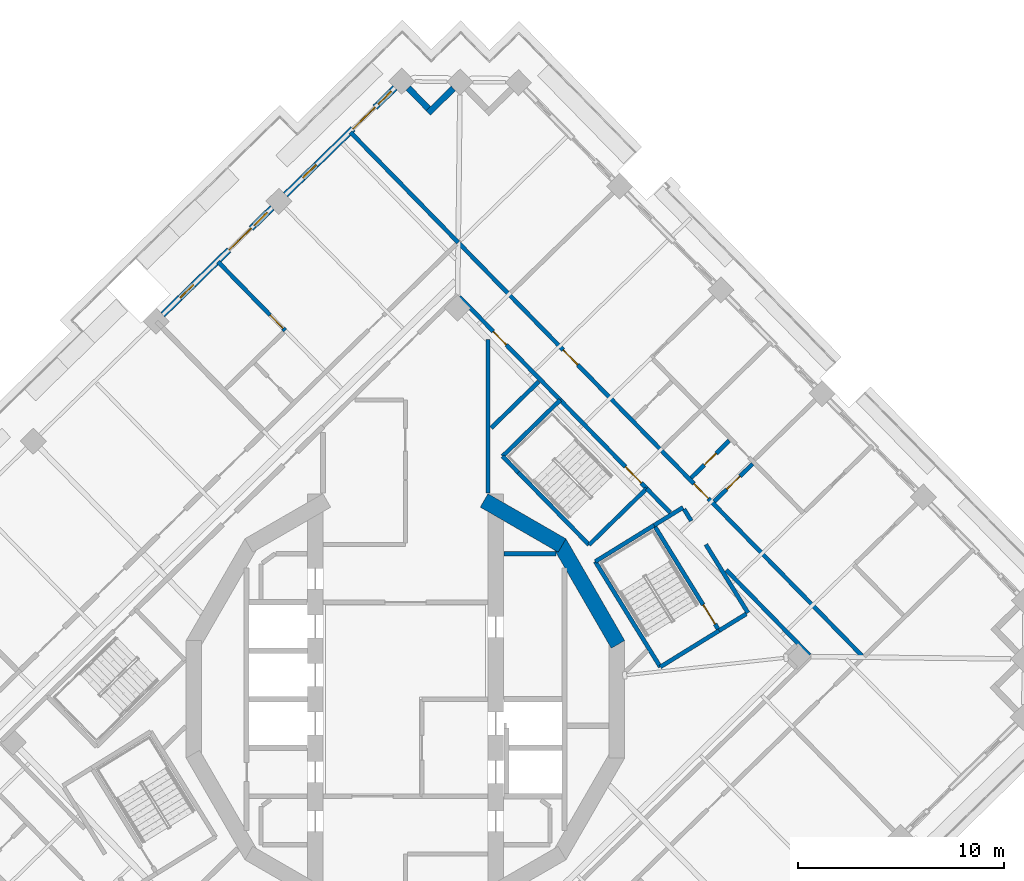
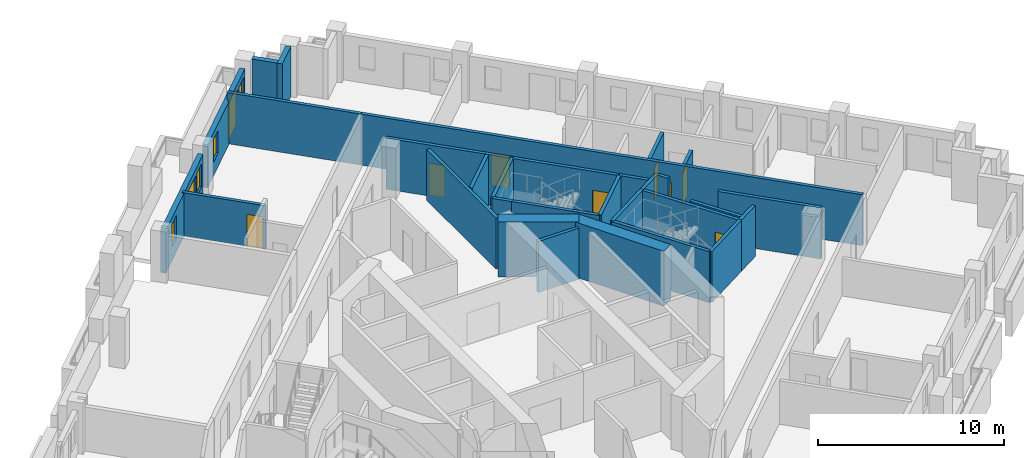
# One storey, part 9 of 17: 30 walls, 10 doors, 4 windows, 14 openings.
"""IFC4 building model written with IfcOpenShell, lengths in metres."""

from ifc_helpers import new_model, si_unit, direction, frame, frame_2d, origin, place, context, subcontext, project, spatial, rectangle, extrude, material, layer, layer_set, type_object, element, fill, save


model = new_model("IFC4")

# Units and contexts
model_context = context("Model", 3, precision=1e-05, world=origin(), true_north=direction((0.0, 1.0)))
body_context = subcontext(model_context, "Body", "Model", "MODEL_VIEW")
ifc_project = project(units=[si_unit("LENGTHUNIT", "METRE"), si_unit("AREAUNIT", "SQUARE_METRE"), si_unit("VOLUMEUNIT", "CUBIC_METRE"), si_unit("PLANEANGLEUNIT", "RADIAN"), si_unit("MASSUNIT", "GRAM", prefix="KILO")], contexts=[model_context])

# Site, building, storey
site_placement = place(None, origin())
site = spatial("IfcSite", under=ifc_project, at=site_placement, CompositionType="ELEMENT")
building_placement = place(site_placement, origin())
building = spatial("IfcBuilding", under=site, at=building_placement, Name="Cantera Rosa Tower", CompositionType="ELEMENT")
storey_placement = place(building_placement, frame((0.0, 0.0, 227.0)))
storey = spatial("IfcBuildingStorey", under=building, at=storey_placement, Name="L49", CompositionType="ELEMENT", Elevation=227.0)

# Wall
ifc_material_1 = material(Name="Gypsum board partition")
ifc_layer_1 = layer(ifc_material_1, 0.199951171875)
ifc_layer_set_1 = layer_set([ifc_layer_1], Name="CORRIDOR WALL 200 H2300")
wall_type_1 = type_object("IfcWallType", Name="CORRIDOR WALL 200 H2300", PredefinedType="PARTITIONING", material=ifc_layer_set_1)
wall_1_placement = place(storey_placement, frame((14.55810546875, 7.5009765625, 0.0), z_axis=(0.0, 0.0, 1.0), x_axis=(0.524986446256, -0.851110586967, 0.0)))
element("IfcWall", 1, at=wall_1_placement, inside=storey, type_object=wall_type_1, Name="CORRIDOR WALL L49-108", PredefinedType="PARTITIONING", context=body_context, shape_type="SweptSolid", body=[
    extrude(rectangle(XDim=3.890625, YDim=0.199951171875, at=frame_2d((1.9453125, 0.0))), origin(), (0.0, 0.0, 1.0), 2.300048828125),
])

# Wall, openings, doors
ifc_material_2 = material(Name="Gypsum board partition")
ifc_layer_2 = layer(ifc_material_2, 0.199951171875)
ifc_layer_set_2 = layer_set([ifc_layer_2], Name="CORRIDOR WALL 200 H3350")
wall_type_2 = type_object("IfcWallType", Name="CORRIDOR WALL 200 H3350", PredefinedType="PARTITIONING", material=ifc_layer_set_2)
wall_2_placement = place(storey_placement, frame((2.56982421875, 22.125244140625, 0.0), z_axis=(0.0, 0.0, 1.0), x_axis=(0.698835160182, -0.715282754506, 0.0)))
wall_2 = element("IfcWall", 2, at=wall_2_placement, inside=storey, type_object=wall_type_2, Name="CORRIDOR WALL L49-069", PredefinedType="PARTITIONING", context=body_context, shape_type="SweptSolid", body=[
    extrude(rectangle(XDim=27.97998046875, YDim=0.199951171875, at=frame_2d((13.989990234375, 0.0))), origin(), (0.0, 0.0, 1.0), 3.35009765625),
])
opening_1_placement = place(wall_2_placement, frame((16.330078125, 0.0, 0.0)))
opening_1 = element("IfcOpeningElement", 3, at=opening_1_placement, cuts=wall_2, Name="Opening L49-025", PredefinedType="OPENING", context=body_context, shape_type="SweptSolid", body=[
    extrude(rectangle(XDim=1.0, YDim=2.10009765625, at=frame_2d((0.5, 1.050048828125))), frame((0.0, 0.10986328125, 0.0), z_axis=(0.0, -1.0, 0.0), x_axis=(1.0, 0.0, 0.0)), (0.0, 0.0, 1.0), 0.219970703125),
])
opening_2_placement = place(wall_2_placement, frame((7.264892578125, 0.0, 0.0)))
opening_2 = element("IfcOpeningElement", 4, at=opening_2_placement, cuts=wall_2, Name="Opening L49-031", PredefinedType="OPENING", context=body_context, shape_type="SweptSolid", body=[
    extrude(rectangle(XDim=1.0, YDim=2.10009765625, at=frame_2d((0.5, 1.050048828125))), frame((0.0, 0.10986328125, 0.0), z_axis=(0.0, -1.0, 0.0), x_axis=(1.0, 0.0, 0.0)), (0.0, 0.0, 1.0), 0.219970703125),
])
ifc_material_3 = material(Name="Timber door leaf", Category="wood")
door_type_1 = type_object("IfcDoorType", Name="ENTRANCE DOOR 1000x2100", OperationType="NOTDEFINED", PredefinedType="DOOR", material=ifc_material_3)
door_1_placement = place(opening_1_placement, origin())
door_1 = element("IfcDoor", 5, at=door_1_placement, inside=storey, type_object=door_type_1, Name="DOOR L49-025", OperationType="NOTDEFINED", OverallHeight=2.10009765625, OverallWidth=1.0, PredefinedType="DOOR", context=body_context, shape_type="SweptSolid", body=[
    extrude(rectangle(XDim=1.0, YDim=2.10009765625, at=frame_2d((0.5, 1.050048828125))), frame((0.0, 0.02490234375, 0.0), z_axis=(0.0, -1.0, 0.0), x_axis=(1.0, 0.0, 0.0)), (0.0, 0.0, 1.0), 0.050048828125),
])
fill(opening_1, door_1)
door_2_placement = place(opening_2_placement, origin())
door_2 = element("IfcDoor", 6, at=door_2_placement, inside=storey, type_object=door_type_1, Name="DOOR L49-031", OperationType="NOTDEFINED", OverallHeight=2.10009765625, OverallWidth=1.0, PredefinedType="DOOR", context=body_context, shape_type="SweptSolid", body=[
    extrude(rectangle(XDim=1.0, YDim=2.10009765625, at=frame_2d((0.5, 1.050048828125))), frame((0.0, 0.02490234375, 0.0), z_axis=(0.0, -1.0, 0.0), x_axis=(1.0, 0.0, 0.0)), (0.0, 0.0, 1.0), 0.050048828125),
])
fill(opening_2, door_2)

# Wall
wall_3_placement = place(storey_placement, frame((4.0, 17.44189453125, 0.0), z_axis=(0.0, 0.0, 1.0), x_axis=(0.0, -1.0, 0.0)))
element("IfcWall", 7, at=wall_3_placement, inside=storey, type_object=wall_type_2, Name="CORRIDOR WALL L49-074", PredefinedType="PARTITIONING", context=body_context, shape_type="SweptSolid", body=[
    extrude(rectangle(XDim=7.44775390625, YDim=0.199951171875, at=frame_2d((3.723876953125, 0.0))), origin(), (0.0, 0.0, 1.0), 3.35009765625),
])

# Wall, opening, door
wall_4_placement = place(storey_placement, frame((7.498779296875, 14.50439453125, 0.0), z_axis=(0.0, 0.0, 1.0), x_axis=(-0.698822589619, 0.715295035799, 0.0)))
wall_4 = element("IfcWall", 8, at=wall_4_placement, inside=storey, type_object=wall_type_2, Name="CORRIDOR WALL L49-085", PredefinedType="PARTITIONING", context=body_context, shape_type="SweptSolid", body=[
    extrude(rectangle(XDim=6.99560546875, YDim=0.199951171875, at=frame_2d((3.497802734375, 0.0))), origin(), (0.0, 0.0, 1.0), 3.35009765625),
])
opening_3_placement = place(wall_4_placement, frame((3.7373046875, 0.0, 0.0)))
opening_3 = element("IfcOpeningElement", 9, at=opening_3_placement, cuts=wall_4, Name="Opening L49-007", PredefinedType="OPENING", context=body_context, shape_type="SweptSolid", body=[
    extrude(rectangle(XDim=0.89990234375, YDim=2.10009765625, at=frame_2d((0.449951171875, 1.050048828125))), frame((0.0, 0.10986328125, 0.0), z_axis=(0.0, -1.0, 0.0), x_axis=(1.0, 0.0, 0.0)), (0.0, 0.0, 1.0), 0.219970703125),
])
ifc_material_4 = material(Name="Timber door leaf", Category="wood")
door_type_2 = type_object("IfcDoorType", Name="SERVICE DOOR 900x2100", OperationType="NOTDEFINED", PredefinedType="DOOR", material=ifc_material_4)
door_3_placement = place(opening_3_placement, origin())
door_3 = element("IfcDoor", 10, at=door_3_placement, inside=storey, type_object=door_type_2, Name="DOOR L49-007", OperationType="NOTDEFINED", OverallHeight=2.10009765625, OverallWidth=0.89990234375, PredefinedType="DOOR", context=body_context, shape_type="SweptSolid", body=[
    extrude(rectangle(XDim=0.89990234375, YDim=2.10009765625, at=frame_2d((0.449951171875, 1.050048828125))), frame((0.0, 0.02490234375, 0.0), z_axis=(0.0, -1.0, 0.0), x_axis=(1.0, 0.0, 0.0)), (0.0, 0.0, 1.0), 0.050048828125),
])
fill(opening_3, door_3)

# Walls
wall_5_placement = place(storey_placement, frame((12.05078125, 8.4326171875, 0.0), z_axis=(0.0, 0.0, 1.0), x_axis=(0.851076929832, 0.525041007453, 0.0)))
element("IfcWall", 11, at=wall_5_placement, inside=storey, type_object=wall_type_2, Name="CORRIDOR WALL L49-102", PredefinedType="PARTITIONING", context=body_context, shape_type="SweptSolid", body=[
    extrude(rectangle(XDim=1.645263671875, YDim=0.199951171875, at=frame_2d((0.82275390625, 0.0))), origin(), (0.0, 0.0, 1.0), 3.35009765625),
])
wall_6_placement = place(storey_placement, frame((12.828125, 9.0498046875, 0.0), z_axis=(0.0, 0.0, 1.0), x_axis=(-0.698800279723, 0.715316831242, 0.0)))
element("IfcWall", 12, at=wall_6_placement, inside=storey, type_object=wall_type_2, Name="CORRIDOR WALL L49-106", PredefinedType="PARTITIONING", context=body_context, shape_type="SweptSolid", body=[
    extrude(rectangle(XDim=1.6259765625, YDim=0.199951171875, at=frame_2d((0.81298828125, 0.0))), origin(), (0.0, 0.0, 1.0), 3.35009765625),
])
wall_7_placement = place(storey_placement, frame((13.50341796875, 9.211181640625, 0.0), z_axis=(0.0, 0.0, 1.0), x_axis=(0.52487540685, -0.851179068871, 0.0)))
element("IfcWall", 13, at=wall_7_placement, inside=storey, type_object=wall_type_2, Name="CORRIDOR WALL L49-107", PredefinedType="PARTITIONING", context=body_context, shape_type="SweptSolid", body=[
    extrude(rectangle(XDim=0.6650390625, YDim=0.199951171875, at=frame_2d((0.33251953125, 0.0))), origin(), (0.0, 0.0, 1.0), 3.35009765625),
])
wall_8_placement = place(storey_placement, frame((15.20068359375, 3.325927734375, 0.0), z_axis=(0.0, 0.0, 1.0), x_axis=(0.851055543597, 0.525075672368, 0.0)))
element("IfcWall", 14, at=wall_8_placement, inside=storey, type_object=wall_type_2, Name="CORRIDOR WALL L49-111", PredefinedType="PARTITIONING", context=body_context, shape_type="SweptSolid", body=[
    extrude(rectangle(XDim=1.545166015625, YDim=0.199951171875, at=frame_2d((0.7724609375, 0.0))), origin(), (0.0, 0.0, 1.0), 3.35009765625),
])
wall_9_placement = place(storey_placement, frame((19.57763671875, 2.14111328125, 0.0), z_axis=(0.0, 0.0, 1.0), x_axis=(-0.698830151438, 0.715287648042, 0.0)))
element("IfcWall", 15, at=wall_9_placement, inside=storey, type_object=wall_type_2, Name="CORRIDOR WALL L49-117", PredefinedType="PARTITIONING", context=body_context, shape_type="SweptSolid", body=[
    extrude(rectangle(XDim=5.770751953125, YDim=0.199951171875, at=frame_2d((2.88525390625, 0.0))), origin(), (0.0, 0.0, 1.0), 3.35009765625),
])
ifc_material_5 = material(Name="Hollow clay masonry with cantera stone cladding", Category="masonry")
ifc_layer_3 = layer(ifc_material_5, 0.300048828125)
ifc_layer_set_3 = layer_set([ifc_layer_3], Name="EW-LOGGIA 300")
wall_type_3 = type_object("IfcWallType", Name="EW-LOGGIA 300", PredefinedType="SOLIDWALL", material=ifc_layer_set_3)
wall_10_placement = place(storey_placement, frame((2.324462890625, 29.602783203125, 0.0), z_axis=(0.0, 0.0, 1.0), x_axis=(-0.715316077832, -0.69880105094, 0.0)))
element("IfcWall", 16, at=wall_10_placement, inside=storey, type_object=wall_type_3, Name="EN-L49-W06a", PredefinedType="SOLIDWALL", context=body_context, shape_type="SweptSolid", body=[
    extrude(rectangle(XDim=1.699951171875, YDim=0.300048828125, at=frame_2d((0.85009765625, 0.0))), origin(), (0.0, 0.0, 1.0), 3.300048828125),
])
wall_11_placement = place(storey_placement, frame((1.111083984375, 28.626953125, 0.0), z_axis=(0.0, 0.0, 1.0), x_axis=(-0.698951192766, 0.71516937164, 0.0)))
element("IfcWall", 17, at=wall_11_placement, inside=storey, type_object=wall_type_3, Name="EN-L49-W06b", PredefinedType="SOLIDWALL", context=body_context, shape_type="SweptSolid", body=[
    extrude(rectangle(XDim=1.39990234375, YDim=0.300048828125, at=frame_2d((0.699951171875, 0.0))), origin(), (0.0, 0.0, 1.0), 3.300048828125),
])

# Wall, openings, windows, door
ifc_material_6 = material(Name="Hollow clay masonry with cantera stone cladding", Category="masonry")
ifc_layer_4 = layer(ifc_material_6, 0.300048828125)
ifc_layer_set_4 = layer_set([ifc_layer_4], Name="EW-LOGGIA 300 H2820")
wall_type_4 = type_object("IfcWallType", Name="EW-LOGGIA 300 H2820", PredefinedType="SOLIDWALL", material=ifc_layer_set_4)
wall_12_placement = place(storey_placement, frame((-0.503662109375, 29.6357421875, 0.0), z_axis=(0.0, 0.0, 1.0), x_axis=(-0.715284379566, -0.698833496871, 0.0)))
wall_12 = element("IfcWall", 18, at=wall_12_placement, inside=storey, type_object=wall_type_4, Name="EN-L49-W07", PredefinedType="SOLIDWALL", context=body_context, shape_type="SweptSolid", body=[
    extrude(rectangle(XDim=7.42041015625, YDim=0.300048828125, at=frame_2d((3.710205078125, 0.0))), origin(), (0.0, 0.0, 1.0), 2.820068359375),
])
opening_4_placement = place(wall_12_placement, frame((0.25, 0.0, 0.89990234375)))
opening_4 = element("IfcOpeningElement", 19, at=opening_4_placement, cuts=wall_12, Name="Opening L49-W13", PredefinedType="OPENING", context=body_context, shape_type="SweptSolid", body=[
    extrude(rectangle(XDim=0.89990234375, YDim=1.5, at=frame_2d((0.449951171875, 0.75))), frame((0.0, 0.159912109375, 0.0), z_axis=(0.0, -1.0, 0.0), x_axis=(1.0, 0.0, 0.0)), (0.0, 0.0, 1.0), 0.320068359375),
])
opening_5_placement = place(wall_12_placement, frame((1.35009765625, 0.0, 0.0)))
opening_5 = element("IfcOpeningElement", 20, at=opening_5_placement, cuts=wall_12, Name="Opening L49-TD14", PredefinedType="OPENING", context=body_context, shape_type="SweptSolid", body=[
    extrude(rectangle(XDim=1.5, YDim=2.39990234375, at=frame_2d((0.75, 1.199951171875))), frame((0.0, 0.159912109375, 0.0), z_axis=(0.0, -1.0, 0.0), x_axis=(1.0, 0.0, 0.0)), (0.0, 0.0, 1.0), 0.320068359375),
])
opening_6_placement = place(wall_12_placement, frame((5.340087890625, 0.0, 0.89990234375)))
opening_6 = element("IfcOpeningElement", 21, at=opening_6_placement, cuts=wall_12, Name="Opening L49-W15", PredefinedType="OPENING", context=body_context, shape_type="SweptSolid", body=[
    extrude(rectangle(XDim=0.89990234375, YDim=1.5, at=frame_2d((0.449951171875, 0.75))), frame((0.0, 0.159912109375, 0.0), z_axis=(0.0, -1.0, 0.0), x_axis=(1.0, 0.0, 0.0)), (0.0, 0.0, 1.0), 0.320068359375),
])
ifc_material_7 = material(Name="Aluminium frame with clear glass", Category="aluminium")
window_type = type_object("IfcWindowType", Name="Residential window 900x1500", PartitioningType="SINGLE_PANEL", PredefinedType="WINDOW", material=ifc_material_7)
window_1_placement = place(opening_4_placement, origin())
window_1 = element("IfcWindow", 22, at=window_1_placement, inside=storey, type_object=window_type, Name="WINDOW L49-W13", OverallHeight=1.5, OverallWidth=0.89990234375, PartitioningType="SINGLE_PANEL", PredefinedType="WINDOW", context=body_context, shape_type="SweptSolid", body=[
    extrude(rectangle(XDim=0.89990234375, YDim=1.5, at=frame_2d((0.449951171875, 0.75))), frame((0.0, 0.030029296875, 0.0), z_axis=(0.0, -1.0, 0.0), x_axis=(1.0, 0.0, 0.0)), (0.0, 0.0, 1.0), 0.06005859375),
])
fill(opening_4, window_1)
window_2_placement = place(opening_6_placement, origin())
window_2 = element("IfcWindow", 23, at=window_2_placement, inside=storey, type_object=window_type, Name="WINDOW L49-W15", OverallHeight=1.5, OverallWidth=0.89990234375, PartitioningType="SINGLE_PANEL", PredefinedType="WINDOW", context=body_context, shape_type="SweptSolid", body=[
    extrude(rectangle(XDim=0.89990234375, YDim=1.5, at=frame_2d((0.449951171875, 0.75))), frame((0.0, 0.030029296875, 0.0), z_axis=(0.0, -1.0, 0.0), x_axis=(1.0, 0.0, 0.0)), (0.0, 0.0, 1.0), 0.06005859375),
])
fill(opening_6, window_2)
ifc_material_8 = material(Name="Aluminium frame with clear glass", Category="aluminium")
door_type_3 = type_object("IfcDoorType", Name="TD-R 1500x2400", OperationType="NOTDEFINED", PredefinedType="DOOR", material=ifc_material_8)
door_4_placement = place(opening_5_placement, origin())
door_4 = element("IfcDoor", 24, at=door_4_placement, inside=storey, type_object=door_type_3, Name="LOGGIA DOOR L49-TD14", OperationType="SLIDING_TO_LEFT", OverallHeight=2.39990234375, OverallWidth=1.5, PredefinedType="DOOR", context=body_context, shape_type="SweptSolid", body=[
    extrude(rectangle(XDim=1.5, YDim=2.39990234375, at=frame_2d((0.75, 1.199951171875))), frame((0.0, 0.02490234375, 0.0), z_axis=(0.0, -1.0, 0.0), x_axis=(1.0, 0.0, 0.0)), (0.0, 0.0, 1.0), 0.050048828125),
])
fill(opening_5, door_4)

wall_13_placement = place(storey_placement, frame((-6.454833984375, 23.8212890625, 0.0), z_axis=(0.0, 0.0, 1.0), x_axis=(-0.715300826176, -0.698816662703, 0.0)))
wall_13 = element("IfcWall", 25, at=wall_13_placement, inside=storey, type_object=wall_type_4, Name="EN-L49-W08", PredefinedType="SOLIDWALL", context=body_context, shape_type="SweptSolid", body=[
    extrude(rectangle(XDim=7.420166015625, YDim=0.300048828125, at=frame_2d((3.7099609375, 0.0))), origin(), (0.0, 0.0, 1.0), 2.820068359375),
])
opening_7_placement = place(wall_13_placement, frame((0.330078125, 0.0, 0.89990234375)))
opening_7 = element("IfcOpeningElement", 26, at=opening_7_placement, cuts=wall_13, Name="Opening L49-W16", PredefinedType="OPENING", context=body_context, shape_type="SweptSolid", body=[
    extrude(rectangle(XDim=0.89990234375, YDim=1.5, at=frame_2d((0.449951171875, 0.75))), frame((0.0, 0.159912109375, 0.0), z_axis=(0.0, -1.0, 0.0), x_axis=(1.0, 0.0, 0.0)), (0.0, 0.0, 1.0), 0.320068359375),
])
opening_8_placement = place(wall_13_placement, frame((1.429931640625, 0.0, 0.0)))
opening_8 = element("IfcOpeningElement", 27, at=opening_8_placement, cuts=wall_13, Name="Opening L49-TD17", PredefinedType="OPENING", context=body_context, shape_type="SweptSolid", body=[
    extrude(rectangle(XDim=1.5, YDim=2.39990234375, at=frame_2d((0.75, 1.199951171875))), frame((0.0, 0.159912109375, 0.0), z_axis=(0.0, -1.0, 0.0), x_axis=(1.0, 0.0, 0.0)), (0.0, 0.0, 1.0), 0.320068359375),
])
opening_9_placement = place(wall_13_placement, frame((5.340087890625, 0.0, 0.89990234375)))
opening_9 = element("IfcOpeningElement", 28, at=opening_9_placement, cuts=wall_13, Name="Opening L49-W18", PredefinedType="OPENING", context=body_context, shape_type="SweptSolid", body=[
    extrude(rectangle(XDim=0.89990234375, YDim=1.5, at=frame_2d((0.449951171875, 0.75))), frame((0.0, 0.159912109375, 0.0), z_axis=(0.0, -1.0, 0.0), x_axis=(1.0, 0.0, 0.0)), (0.0, 0.0, 1.0), 0.320068359375),
])
window_3_placement = place(opening_7_placement, origin())
window_3 = element("IfcWindow", 29, at=window_3_placement, inside=storey, type_object=window_type, Name="WINDOW L49-W16", OverallHeight=1.5, OverallWidth=0.89990234375, PartitioningType="SINGLE_PANEL", PredefinedType="WINDOW", context=body_context, shape_type="SweptSolid", body=[
    extrude(rectangle(XDim=0.89990234375, YDim=1.5, at=frame_2d((0.449951171875, 0.75))), frame((0.0, 0.030029296875, 0.0), z_axis=(0.0, -1.0, 0.0), x_axis=(1.0, 0.0, 0.0)), (0.0, 0.0, 1.0), 0.06005859375),
])
fill(opening_7, window_3)
window_4_placement = place(opening_9_placement, origin())
window_4 = element("IfcWindow", 30, at=window_4_placement, inside=storey, type_object=window_type, Name="WINDOW L49-W18", OverallHeight=1.5, OverallWidth=0.89990234375, PartitioningType="SINGLE_PANEL", PredefinedType="WINDOW", context=body_context, shape_type="SweptSolid", body=[
    extrude(rectangle(XDim=0.89990234375, YDim=1.5, at=frame_2d((0.449951171875, 0.75))), frame((0.0, 0.030029296875, 0.0), z_axis=(0.0, -1.0, 0.0), x_axis=(1.0, 0.0, 0.0)), (0.0, 0.0, 1.0), 0.06005859375),
])
fill(opening_9, window_4)
door_5_placement = place(opening_8_placement, origin())
door_5 = element("IfcDoor", 31, at=door_5_placement, inside=storey, type_object=door_type_3, Name="LOGGIA DOOR L49-TD17", OperationType="SLIDING_TO_LEFT", OverallHeight=2.39990234375, OverallWidth=1.5, PredefinedType="DOOR", context=body_context, shape_type="SweptSolid", body=[
    extrude(rectangle(XDim=1.5, YDim=2.39990234375, at=frame_2d((0.75, 1.199951171875))), frame((0.0, 0.02490234375, 0.0), z_axis=(0.0, -1.0, 0.0), x_axis=(1.0, 0.0, 0.0)), (0.0, 0.0, 1.0), 0.050048828125),
])
fill(opening_8, door_5)

# Wall, opening, door
ifc_material_9 = material(Name="Gypsum board partition")
ifc_layer_5 = layer(ifc_material_9, 0.199951171875)
ifc_layer_set_5 = layer_set([ifc_layer_5], Name="PARTITION 200 H2450")
wall_type_5 = type_object("IfcWallType", Name="PARTITION 200 H2450", PredefinedType="PARTITIONING", material=ifc_layer_set_5)
wall_14_placement = place(storey_placement, frame((16.821533203125, 11.401611328125, 0.0), z_axis=(0.0, 0.0, 1.0), x_axis=(-0.715275742918, -0.69884233672, 0.0)))
wall_14 = element("IfcWall", 32, at=wall_14_placement, inside=storey, type_object=wall_type_5, Name="PARTITION L49-113", PredefinedType="PARTITIONING", context=body_context, shape_type="SweptSolid", body=[
    extrude(rectangle(XDim=2.599853515625, YDim=0.199951171875, at=frame_2d((1.2998046875, 0.0))), origin(), (0.0, 0.0, 1.0), 2.449951171875),
])
opening_10_placement = place(wall_14_placement, frame((0.85009765625, 0.0, 0.0)))
opening_10 = element("IfcOpeningElement", 33, at=opening_10_placement, cuts=wall_14, Name="Opening L49-027", PredefinedType="OPENING", context=body_context, shape_type="SweptSolid", body=[
    extrude(rectangle(XDim=0.89990234375, YDim=2.10009765625, at=frame_2d((0.449951171875, 1.050048828125))), frame((0.0, 0.10986328125, 0.0), z_axis=(0.0, -1.0, 0.0), x_axis=(1.0, 0.0, 0.0)), (0.0, 0.0, 1.0), 0.219970703125),
])
ifc_material_10 = material(Name="Timber door leaf", Category="wood")
door_type_4 = type_object("IfcDoorType", Name="ROOM DOOR 900x2100", OperationType="NOTDEFINED", PredefinedType="DOOR", material=ifc_material_10)
door_6_placement = place(opening_10_placement, origin())
door_6 = element("IfcDoor", 34, at=door_6_placement, inside=storey, type_object=door_type_4, Name="DOOR L49-027", OperationType="NOTDEFINED", OverallHeight=2.10009765625, OverallWidth=0.89990234375, PredefinedType="DOOR", context=body_context, shape_type="SweptSolid", body=[
    extrude(rectangle(XDim=0.89990234375, YDim=2.10009765625, at=frame_2d((0.449951171875, 1.050048828125))), frame((0.0, 0.02490234375, 0.0), z_axis=(0.0, -1.0, 0.0), x_axis=(1.0, 0.0, 0.0)), (0.0, 0.0, 1.0), 0.050048828125),
])
fill(opening_10, door_6)

ifc_material_11 = material(Name="Gypsum board partition")
ifc_layer_6 = layer(ifc_material_11, 0.199951171875)
ifc_layer_set_6 = layer_set([ifc_layer_6], Name="PARTITION 200 H2850")
wall_type_6 = type_object("IfcWallType", Name="PARTITION 200 H2850", PredefinedType="PARTITIONING", material=ifc_layer_set_6)
wall_15_placement = place(storey_placement, frame((-9.087646484375, 21.207275390625, 0.0), z_axis=(0.0, 0.0, 1.0), x_axis=(0.698824761261, -0.71529291416, 0.0)))
wall_15 = element("IfcWall", 35, at=wall_15_placement, inside=storey, type_object=wall_type_6, Name="PARTITION L49-026", PredefinedType="PARTITIONING", context=body_context, shape_type="SweptSolid", body=[
    extrude(rectangle(XDim=4.669921875, YDim=0.199951171875, at=frame_2d((2.3349609375, 0.0))), origin(), (0.0, 0.0, 1.0), 2.85009765625),
])
opening_11_placement = place(wall_15_placement, frame((3.6201171875, 0.0, 0.0)))
opening_11 = element("IfcOpeningElement", 36, at=opening_11_placement, cuts=wall_15, Name="Opening L49-036", PredefinedType="OPENING", context=body_context, shape_type="SweptSolid", body=[
    extrude(rectangle(XDim=0.89990234375, YDim=2.10009765625, at=frame_2d((0.449951171875, 1.050048828125))), frame((0.0, 0.10986328125, 0.0), z_axis=(0.0, -1.0, 0.0), x_axis=(1.0, 0.0, 0.0)), (0.0, 0.0, 1.0), 0.219970703125),
])
door_7_placement = place(opening_11_placement, origin())
door_7 = element("IfcDoor", 37, at=door_7_placement, inside=storey, type_object=door_type_4, Name="DOOR L49-036", OperationType="NOTDEFINED", OverallHeight=2.10009765625, OverallWidth=0.89990234375, PredefinedType="DOOR", context=body_context, shape_type="SweptSolid", body=[
    extrude(rectangle(XDim=0.89990234375, YDim=2.10009765625, at=frame_2d((0.449951171875, 1.050048828125))), frame((0.0, 0.02490234375, 0.0), z_axis=(0.0, -1.0, 0.0), x_axis=(1.0, 0.0, 0.0)), (0.0, 0.0, 1.0), 0.050048828125),
])
fill(opening_11, door_7)

# Walls
ifc_material_12 = material(Name="Gypsum board partition")
ifc_layer_7 = layer(ifc_material_12, 0.199951171875)
ifc_layer_set_7 = layer_set([ifc_layer_7], Name="PARTITION 200 H3350")
wall_type_7 = type_object("IfcWallType", Name="PARTITION 200 H3350", PredefinedType="PARTITIONING", material=ifc_layer_set_7)
wall_16_placement = place(storey_placement, frame((-2.664306640625, 27.482666015625, 0.0), z_axis=(0.0, 0.0, 1.0), x_axis=(0.698839096465, -0.715278908715, 0.0)))
element("IfcWall", 38, at=wall_16_placement, inside=storey, type_object=wall_type_7, Name="PARTITION L49-052", PredefinedType="PARTITIONING", context=body_context, shape_type="SweptSolid", body=[
    extrude(rectangle(XDim=7.4697265625, YDim=0.199951171875, at=frame_2d((3.73486328125, 0.0))), origin(), (0.0, 0.0, 1.0), 3.35009765625),
])
wall_17_placement = place(storey_placement, frame((4.780029296875, 7.050048828125, 0.0), z_axis=(0.0, 0.0, 1.0), x_axis=(1.0, 0.0, 0.0)))
element("IfcWall", 39, at=wall_17_placement, inside=storey, type_object=wall_type_7, Name="PARTITION L49-077", PredefinedType="PARTITIONING", context=body_context, shape_type="SweptSolid", body=[
    extrude(rectangle(XDim=2.517822265625, YDim=0.199951171875, at=frame_2d((1.2587890625, 0.0))), origin(), (0.0, 0.0, 1.0), 3.35009765625),
])
wall_18_placement = place(storey_placement, frame((6.458740234375, 15.3974609375, 0.0), z_axis=(0.0, 0.0, 1.0), x_axis=(-0.715254439493, -0.698864140434, 0.0)))
element("IfcWall", 40, at=wall_18_placement, inside=storey, type_object=wall_type_7, Name="PARTITION L49-082", PredefinedType="PARTITIONING", context=body_context, shape_type="SweptSolid", body=[
    extrude(rectangle(XDim=3.217529296875, YDim=0.199951171875, at=frame_2d((1.60888671875, 0.0))), origin(), (0.0, 0.0, 1.0), 3.35009765625),
])

# Wall, opening, door
wall_19_placement = place(storey_placement, frame((15.689208984375, 12.531982421875, 0.0), z_axis=(0.0, 0.0, 1.0), x_axis=(-0.715337680074, -0.69877893748, 0.0)))
wall_19 = element("IfcWall", 41, at=wall_19_placement, inside=storey, type_object=wall_type_7, Name="PARTITION L49-112", PredefinedType="PARTITIONING", context=body_context, shape_type="SweptSolid", body=[
    extrude(rectangle(XDim=2.580078125, YDim=0.199951171875, at=frame_2d((1.2900390625, 0.0))), origin(), (0.0, 0.0, 1.0), 3.35009765625),
])
opening_12_placement = place(wall_19_placement, frame((0.8798828125, 0.0, 0.0)))
opening_12 = element("IfcOpeningElement", 42, at=opening_12_placement, cuts=wall_19, Name="Opening L49-026", PredefinedType="OPENING", context=body_context, shape_type="SweptSolid", body=[
    extrude(rectangle(XDim=0.800048828125, YDim=2.10009765625, at=frame_2d((0.39990234375, 1.050048828125))), frame((0.0, 0.10986328125, 0.0), z_axis=(0.0, -1.0, 0.0), x_axis=(1.0, 0.0, 0.0)), (0.0, 0.0, 1.0), 0.219970703125),
])
ifc_material_13 = material(Name="Timber door leaf", Category="wood")
door_type_5 = type_object("IfcDoorType", Name="BATHROOM DOOR 800x2100", OperationType="NOTDEFINED", PredefinedType="DOOR", material=ifc_material_13)
door_8_placement = place(opening_12_placement, origin())
door_8 = element("IfcDoor", 43, at=door_8_placement, inside=storey, type_object=door_type_5, Name="DOOR L49-026", OperationType="NOTDEFINED", OverallHeight=2.10009765625, OverallWidth=0.800048828125, PredefinedType="DOOR", context=body_context, shape_type="SweptSolid", body=[
    extrude(rectangle(XDim=0.800048828125, YDim=2.10009765625, at=frame_2d((0.39990234375, 1.050048828125))), frame((0.0, 0.02490234375, 0.0), z_axis=(0.0, -1.0, 0.0), x_axis=(1.0, 0.0, 0.0)), (0.0, 0.0, 1.0), 0.050048828125),
])
fill(opening_12, door_8)

# Walls
ifc_material_14 = material(Name="Concrete C60/75", Category="concrete")
ifc_layer_8 = layer(ifc_material_14, 0.75)
ifc_layer_set_8 = layer_set([ifc_layer_8], Name="RC CORE WALL 750 C60/75")
wall_type_8 = type_object("IfcWallType", Name="RC CORE WALL 750 C60/75", PredefinedType="SHEAR", material=ifc_layer_set_8)
wall_20_placement = place(storey_placement, frame((3.8125, 9.634765625, 0.0), z_axis=(0.0, 0.0, 1.0), x_axis=(0.866013176292, -0.50002117804, 0.0)))
element("IfcWall", 44, at=wall_20_placement, inside=storey, type_object=wall_type_8, Name="CW-E1 L49", PredefinedType="SHEAR", context=body_context, shape_type="SweptSolid", body=[
    extrude(rectangle(XDim=4.362548828125, YDim=0.75, at=frame_2d((2.18115234375, 0.0))), origin(), (0.0, 0.0, 1.0), 3.60009765625),
])
wall_21_placement = place(storey_placement, frame((7.453369140625, 7.590576171875, 0.0), z_axis=(0.0, 0.0, 1.0), x_axis=(0.500021842983, -0.866012792365, 0.0)))
element("IfcWall", 45, at=wall_21_placement, inside=storey, type_object=wall_type_8, Name="CW-E2 L49", PredefinedType="SHEAR", context=body_context, shape_type="SweptSolid", body=[
    extrude(rectangle(XDim=5.694091796875, YDim=0.75, at=frame_2d((2.84716796875, 0.0))), origin(), (0.0, 0.0, 1.0), 3.60009765625),
])
ifc_material_15 = material(Name="Concrete C50/60", Category="concrete")
ifc_layer_9 = layer(ifc_material_15, 0.199951171875)
ifc_layer_set_9 = layer_set([ifc_layer_9], Name="STAIR WALL 200 H3350")
wall_type_9 = type_object("IfcWallType", Name="STAIR WALL 200 H3350", PredefinedType="SOLIDWALL", material=ifc_layer_set_9)
wall_22_placement = place(storey_placement, frame((4.705322265625, 11.775390625, 0.0), z_axis=(0.0, 0.0, 1.0), x_axis=(0.715310770212, 0.698806483956, 0.0)))
element("IfcWall", 46, at=wall_22_placement, inside=storey, type_object=wall_type_9, Name="STAIR WALL L49-075", PredefinedType="SOLIDWALL", context=body_context, shape_type="SweptSolid", body=[
    extrude(rectangle(XDim=3.9052734375, YDim=0.199951171875, at=frame_2d((1.95263671875, 0.0))), origin(), (0.0, 0.0, 1.0), 3.35009765625),
])
wall_23_placement = place(storey_placement, frame((8.8984375, 7.483642578125, 0.0), z_axis=(0.0, 0.0, 1.0), x_axis=(-0.698837952642, 0.715280026246, 0.0)))
element("IfcWall", 47, at=wall_23_placement, inside=storey, type_object=wall_type_9, Name="STAIR WALL L49-091", PredefinedType="SOLIDWALL", context=body_context, shape_type="SweptSolid", body=[
    extrude(rectangle(XDim=4.89990234375, YDim=0.199951171875, at=frame_2d((2.449951171875, 0.0))), origin(), (0.0, 0.0, 1.0), 3.35009765625),
])
wall_24_placement = place(storey_placement, frame((9.199462890625, 6.674072265625, 0.0), z_axis=(0.0, 0.0, 1.0), x_axis=(0.85113993661, 0.524938861495, 0.0)))
element("IfcWall", 48, at=wall_24_placement, inside=storey, type_object=wall_type_9, Name="STAIR WALL L49-092", PredefinedType="SOLIDWALL", context=body_context, shape_type="SweptSolid", body=[
    extrude(rectangle(XDim=3.35009765625, YDim=0.199951171875, at=frame_2d((1.675048828125, 0.0))), origin(), (0.0, 0.0, 1.0), 3.35009765625),
])
wall_25_placement = place(storey_placement, frame((9.199462890625, 6.674072265625, 0.0), z_axis=(0.0, 0.0, 1.0), x_axis=(0.524982543144, -0.851112994493, 0.0)))
element("IfcWall", 49, at=wall_25_placement, inside=storey, type_object=wall_type_9, Name="STAIR WALL L49-093", PredefinedType="SOLIDWALL", context=body_context, shape_type="SweptSolid", body=[
    extrude(rectangle(XDim=6.0, YDim=0.199951171875, at=frame_2d((3.0, 0.0))), origin(), (0.0, 0.0, 1.0), 3.35009765625),
])

# Wall, opening, door
wall_26_placement = place(storey_placement, frame((11.69189453125, 10.212890625, 0.0), z_axis=(0.0, 0.0, 1.0), x_axis=(-0.698860098963, 0.71525838833, 0.0)))
wall_26 = element("IfcWall", 50, at=wall_26_placement, inside=storey, type_object=wall_type_9, Name="STAIR WALL L49-098", PredefinedType="SOLIDWALL", context=body_context, shape_type="SweptSolid", body=[
    extrude(rectangle(XDim=6.0, YDim=0.199951171875, at=frame_2d((3.0, 0.0))), origin(), (0.0, 0.0, 1.0), 3.35009765625),
])
opening_13_placement = place(wall_26_placement, frame((0.375, 0.0, 0.0)))
opening_13 = element("IfcOpeningElement", 51, at=opening_13_placement, cuts=wall_26, Name="Opening L49-003", PredefinedType="OPENING", context=body_context, shape_type="SweptSolid", body=[
    extrude(rectangle(XDim=1.10009765625, YDim=2.10009765625, at=frame_2d((0.550048828125, 1.050048828125))), frame((0.0, 0.10986328125, 0.0), z_axis=(0.0, -1.0, 0.0), x_axis=(1.0, 0.0, 0.0)), (0.0, 0.0, 1.0), 0.219970703125),
])
ifc_material_16 = material(Name="Steel S355J2 (EN 10025-2)", Category="steel")
door_type_6 = type_object("IfcDoorType", Name="STAIR DOOR 1100x2100", OperationType="NOTDEFINED", PredefinedType="DOOR", material=ifc_material_16)
door_9_placement = place(opening_13_placement, origin())
door_9 = element("IfcDoor", 52, at=door_9_placement, inside=storey, type_object=door_type_6, Name="DOOR L49-003", OperationType="NOTDEFINED", OverallHeight=2.10009765625, OverallWidth=1.10009765625, PredefinedType="DOOR", context=body_context, shape_type="SweptSolid", body=[
    extrude(rectangle(XDim=1.10009765625, YDim=2.10009765625, at=frame_2d((0.550048828125, 1.050048828125))), frame((0.0, 0.02490234375, 0.0), z_axis=(0.0, -1.0, 0.0), x_axis=(1.0, 0.0, 0.0)), (0.0, 0.0, 1.0), 0.050048828125),
])
fill(opening_13, door_9)

# Wall
wall_27_placement = place(storey_placement, frame((11.69189453125, 10.212890625, 0.0), z_axis=(0.0, 0.0, 1.0), x_axis=(-0.715279521258, -0.698838469511, 0.0)))
element("IfcWall", 53, at=wall_27_placement, inside=storey, type_object=wall_type_9, Name="STAIR WALL L49-099", PredefinedType="SOLIDWALL", context=body_context, shape_type="SweptSolid", body=[
    extrude(rectangle(XDim=3.905517578125, YDim=0.199951171875, at=frame_2d((1.95263671875, 0.0))), origin(), (0.0, 0.0, 1.0), 3.35009765625),
])

# Wall, opening, door
wall_28_placement = place(storey_placement, frame((12.05078125, 8.4326171875, 0.0), z_axis=(0.0, 0.0, 1.0), x_axis=(0.524982543144, -0.851112994493, 0.0)))
wall_28 = element("IfcWall", 54, at=wall_28_placement, inside=storey, type_object=wall_type_9, Name="STAIR WALL L49-103", PredefinedType="SOLIDWALL", context=body_context, shape_type="SweptSolid", body=[
    extrude(rectangle(XDim=6.0, YDim=0.199951171875, at=frame_2d((3.0, 0.0))), origin(), (0.0, 0.0, 1.0), 3.35009765625),
])
opening_14_placement = place(wall_28_placement, frame((4.52490234375, 0.0, 0.0)))
opening_14 = element("IfcOpeningElement", 55, at=opening_14_placement, cuts=wall_28, Name="Opening L49-001", PredefinedType="OPENING", context=body_context, shape_type="SweptSolid", body=[
    extrude(rectangle(XDim=1.10009765625, YDim=2.10009765625, at=frame_2d((0.550048828125, 1.050048828125))), frame((0.0, 0.10986328125, 0.0), z_axis=(0.0, -1.0, 0.0), x_axis=(1.0, 0.0, 0.0)), (0.0, 0.0, 1.0), 0.219970703125),
])
door_10_placement = place(opening_14_placement, origin())
door_10 = element("IfcDoor", 56, at=door_10_placement, inside=storey, type_object=door_type_6, Name="DOOR L49-001", OperationType="NOTDEFINED", OverallHeight=2.10009765625, OverallWidth=1.10009765625, PredefinedType="DOOR", context=body_context, shape_type="SweptSolid", body=[
    extrude(rectangle(XDim=1.10009765625, YDim=2.10009765625, at=frame_2d((0.550048828125, 1.050048828125))), frame((0.0, 0.02490234375, 0.0), z_axis=(0.0, -1.0, 0.0), x_axis=(1.0, 0.0, 0.0)), (0.0, 0.0, 1.0), 0.050048828125),
])
fill(opening_14, door_10)

# Walls
wall_29_placement = place(storey_placement, frame((12.349365234375, 1.5673828125, 0.0), z_axis=(0.0, 0.0, 1.0), x_axis=(0.85113993661, 0.524938861495, 0.0)))
element("IfcWall", 57, at=wall_29_placement, inside=storey, type_object=wall_type_9, Name="STAIR WALL L49-104", PredefinedType="SOLIDWALL", context=body_context, shape_type="SweptSolid", body=[
    extrude(rectangle(XDim=3.35009765625, YDim=0.199951171875, at=frame_2d((1.675048828125, 0.0))), origin(), (0.0, 0.0, 1.0), 3.35009765625),
])
wall_30_placement = place(storey_placement, frame((5.47412109375, 10.988525390625, 0.0), z_axis=(0.0, 0.0, 1.0), x_axis=(-0.698847807351, 0.715270397934, 0.0)))
element("IfcWall", 58, at=wall_30_placement, inside=storey, type_object=wall_type_9, Name="STAIR WALL L49-091 J", PredefinedType="SOLIDWALL", context=body_context, shape_type="SweptSolid", body=[
    extrude(rectangle(XDim=1.10009765625, YDim=0.199951171875, at=frame_2d((0.550048828125, 0.0))), origin(), (0.0, 0.0, 1.0), 3.35009765625),
])

save(model, "model.ifc")
